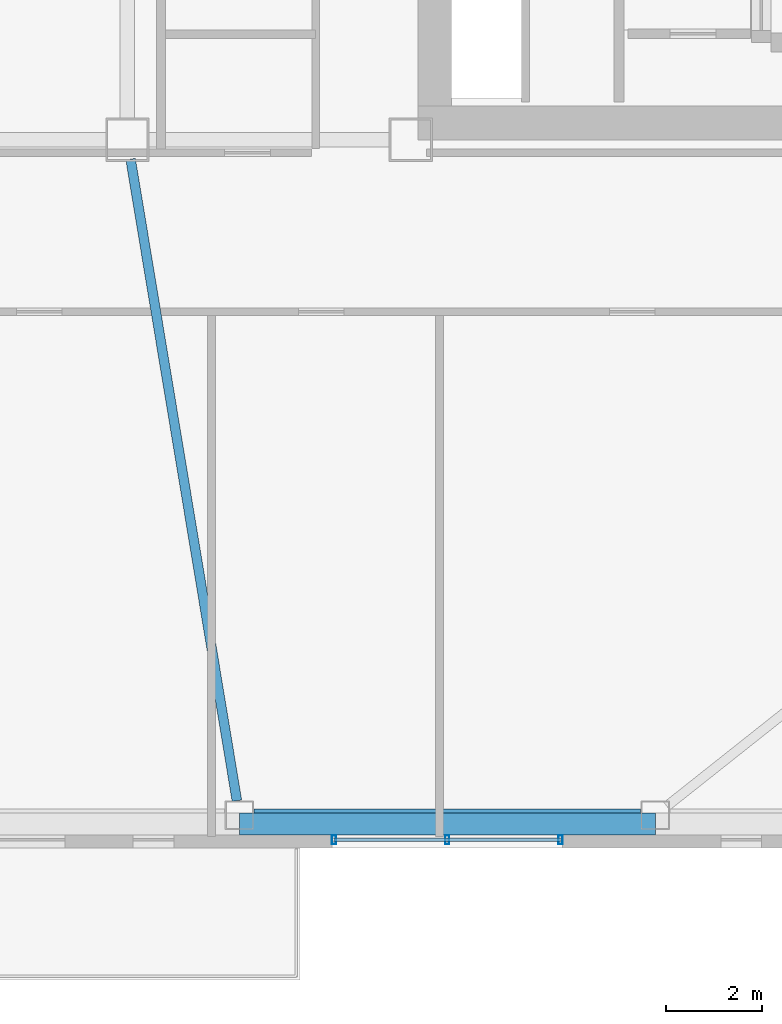
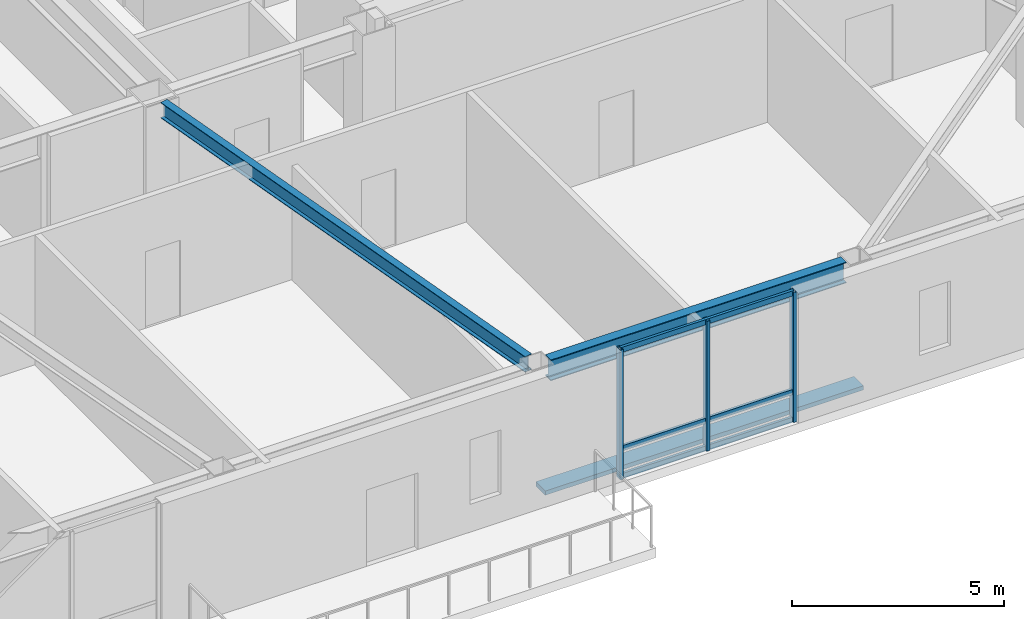
# One storey, part 4 of 19: 7 members, 2 beams, 1 element without a shape of its own.
"""IFC4 building model written with IfcOpenShell, lengths in metres."""

from ifc_helpers import new_model, si_unit, direction, frame, origin, origin_2d, place, context, subcontext, project, spatial, rectangle, hollow_rectangle, i_section, extrude, material, layer, layer_set, material_profile, profile_set, type_object, element, aggregate, save


model = new_model("IFC4")

# Units and contexts
model_context = context("Model", 3, precision=1e-05, world=origin(), true_north=direction((0.0, 1.0)))
body_context = subcontext(model_context, "Body", "Model", "MODEL_VIEW")
ifc_project = project(units=[si_unit("LENGTHUNIT", "METRE"), si_unit("AREAUNIT", "SQUARE_METRE"), si_unit("VOLUMEUNIT", "CUBIC_METRE"), si_unit("PLANEANGLEUNIT", "RADIAN"), si_unit("MASSUNIT", "GRAM", prefix="KILO")], contexts=[model_context])

# Site, building, storey
site_placement = place(None, origin())
site = spatial("IfcSite", under=ifc_project, at=site_placement, CompositionType="ELEMENT")
building_placement = place(site_placement, origin())
building = spatial("IfcBuilding", under=site, at=building_placement, Name="Tavrogorsk Clinical Tower", CompositionType="ELEMENT")
storey_placement = place(building_placement, frame((0.0, 0.0, 188.199951171875)))
storey = spatial("IfcBuildingStorey", under=building, at=storey_placement, Name="L43", CompositionType="ELEMENT", Elevation=188.199951171875)

# Member
ifc_material_1 = material(Name="Anodised aluminium alloy AW-6063", Category="aluminium")
ifc_material_profile_1 = material_profile(ifc_material_1, rectangle(XDim=0.449951171875, YDim=0.1201171875, at=origin_2d()), Name="ALU-SUNSHADE-450x120")
ifc_profile_set_1 = profile_set([ifc_material_profile_1], Name="Anodised aluminium alloy AW-6063")
member_type_1 = type_object("IfcMemberType", Name="ChicagoSunshade_450x120", PredefinedType="USERDEFINED", material=ifc_profile_set_1)
member_1_placement = place(storey_placement, frame((6.7314453125, -20.60009765625, 0.179931640625), z_axis=(1.0, 0.0, 0.0), x_axis=(0.0, 1.0, 0.0)))
element("IfcMember", 1, at=member_1_placement, inside=storey, type_object=member_type_1, Name="L43 South Aluminium Sunshade S5", ObjectType="SUNSHADE", PredefinedType="USERDEFINED", context=body_context, shape_type="SweptSolid", body=[
    extrude(rectangle(XDim=0.449951171875, YDim=0.1201171875, at=origin_2d()), origin(), (0.0, 0.0, 1.0), 8.662841796875),
])

# Curtain wall, members
ifc_material_2 = material(Name="Anodised aluminium and triple IGU glazing", Category="aluminium")
ifc_layer = layer(ifc_material_2, 0.179931640625)
ifc_layer_set = layer_set([ifc_layer], Name="Anodised aluminium and triple IGU glazing")
curtain_wall_type = type_object("IfcCurtainWallType", Name="CW3_SouthSlot", PredefinedType="NOTDEFINED", material=ifc_layer_set)
curtain_wall_placement = place(storey_placement, origin())
curtain_wall = element("IfcCurtainWall", 2, at=curtain_wall_placement, inside=storey, type_object=curtain_wall_type, Name="L43 Curtain Wall CW-L43-S-SLOT-2", PredefinedType="NOTDEFINED")
ifc_material_3 = material(Name="Anodised aluminium alloy AW-6060", Category="aluminium")
ifc_material_profile_2 = material_profile(ifc_material_3, hollow_rectangle(XDim=0.090087890625, YDim=0.179931640625, WallThickness=0.00634765625, at=origin_2d()), Name="RHS-180x90x6.3")
ifc_profile_set_2 = profile_set([ifc_material_profile_2], Name="Anodised aluminium alloy AW-6060")
member_type_2 = type_object("IfcMemberType", Name="CwMullion_180x90", PredefinedType="MULLION", material=ifc_profile_set_2)
member_2_placement = place(storey_placement, frame((8.703857421875, -20.929931640625, 0.0), z_axis=(0.0, 0.0, 1.0), x_axis=(1.0, 0.0, 0.0)))
member_2 = element("IfcMember", 3, at=member_2_placement, type_object=member_type_2, Name="CW-L43-S-SLOT-2 Mullion 1", PredefinedType="MULLION", context=body_context, shape_type="SweptSolid", body=[
    extrude(hollow_rectangle(XDim=0.090087890625, YDim=0.179931640625, WallThickness=0.00634765625, at=origin_2d()), origin(), (0.0, 0.0, 1.0), 3.739990234375),
])
member_3_placement = place(storey_placement, frame((11.062744140625, -20.929931640625, 0.0), z_axis=(0.0, 0.0, 1.0), x_axis=(1.0, 0.0, 0.0)))
member_3 = element("IfcMember", 4, at=member_3_placement, type_object=member_type_2, Name="CW-L43-S-SLOT-2 Mullion 2", PredefinedType="MULLION", context=body_context, shape_type="SweptSolid", body=[
    extrude(hollow_rectangle(XDim=0.090087890625, YDim=0.179931640625, WallThickness=0.00634765625, at=origin_2d()), origin(), (0.0, 0.0, 1.0), 3.739990234375),
])
member_4_placement = place(storey_placement, frame((13.421875, -20.929931640625, 0.0), z_axis=(0.0, 0.0, 1.0), x_axis=(1.0, 0.0, 0.0)))
member_4 = element("IfcMember", 5, at=member_4_placement, type_object=member_type_2, Name="CW-L43-S-SLOT-2 Mullion 3", PredefinedType="MULLION", context=body_context, shape_type="SweptSolid", body=[
    extrude(hollow_rectangle(XDim=0.090087890625, YDim=0.179931640625, WallThickness=0.00634765625, at=origin_2d()), origin(), (0.0, 0.0, 1.0), 3.739990234375),
])
ifc_material_4 = material(Name="Anodised aluminium alloy AW-6060", Category="aluminium")
ifc_material_profile_3 = material_profile(ifc_material_4, hollow_rectangle(XDim=0.074951171875, YDim=0.14990234375, WallThickness=0.0048828125, at=origin_2d()), Name="RHS-150x75x5")
ifc_profile_set_3 = profile_set([ifc_material_profile_3], Name="Anodised aluminium alloy AW-6060")
member_type_3 = type_object("IfcMemberType", Name="CwTransom_150x75", PredefinedType="USERDEFINED", material=ifc_profile_set_3)
member_5_placement = place(storey_placement, frame((8.703857421875, -20.929931640625, 0.050048828125), z_axis=(1.0, 0.0, 0.0), x_axis=(0.0, 1.0, 0.0)))
member_5 = element("IfcMember", 6, at=member_5_placement, type_object=member_type_3, Name="CW-L43-S-SLOT-2 Transom 1", ObjectType="TRANSOM", PredefinedType="USERDEFINED", context=body_context, shape_type="SweptSolid", body=[
    extrude(hollow_rectangle(XDim=0.074951171875, YDim=0.14990234375, WallThickness=0.0048828125, at=origin_2d()), origin(), (0.0, 0.0, 1.0), 4.718017578125),
])
member_6_placement = place(storey_placement, frame((8.703857421875, -20.929931640625, 0.85009765625), z_axis=(1.0, 0.0, 0.0), x_axis=(0.0, 1.0, 0.0)))
member_6 = element("IfcMember", 7, at=member_6_placement, type_object=member_type_3, Name="CW-L43-S-SLOT-2 Transom 2", ObjectType="TRANSOM", PredefinedType="USERDEFINED", context=body_context, shape_type="SweptSolid", body=[
    extrude(hollow_rectangle(XDim=0.074951171875, YDim=0.14990234375, WallThickness=0.0048828125, at=origin_2d()), origin(), (0.0, 0.0, 1.0), 4.718017578125),
])
member_7_placement = place(storey_placement, frame((8.703857421875, -20.929931640625, 3.68994140625), z_axis=(1.0, 0.0, 0.0), x_axis=(0.0, 1.0, 0.0)))
member_7 = element("IfcMember", 8, at=member_7_placement, type_object=member_type_3, Name="CW-L43-S-SLOT-2 Transom 3", ObjectType="TRANSOM", PredefinedType="USERDEFINED", context=body_context, shape_type="SweptSolid", body=[
    extrude(hollow_rectangle(XDim=0.074951171875, YDim=0.14990234375, WallThickness=0.0048828125, at=origin_2d()), origin(), (0.0, 0.0, 1.0), 4.718017578125),
])
aggregate(curtain_wall, [member_2, member_3, member_4, member_5, member_6, member_7])

# Beams
ifc_material_5 = material(Name="Structural steel S355", Category="steel")
ifc_material_profile_4 = material_profile(ifc_material_5, i_section(OverallWidth=0.199951171875, OverallDepth=0.449951171875, WebThickness=0.011474609375, FlangeThickness=0.01806640625, at=origin_2d()), Name="B-450x200x11.5x18")
ifc_profile_set_4 = profile_set([ifc_material_profile_4], Name="Structural steel S355")
beam_type_1 = type_object("IfcBeamType", Name="FloorBeam_B450", PredefinedType="BEAM", material=ifc_profile_set_4)
beam_1_placement = place(storey_placement, frame((4.467041015625, -6.75439453125, 3.51513671875), z_axis=(0.16347521907, -0.986547440699, 0.0), x_axis=(0.986547440699, 0.16347521907, 0.0)))
element("IfcBeam", 9, at=beam_1_placement, inside=storey, type_object=beam_type_1, Name="L43 Radial Floor Beam S5", PredefinedType="BEAM", context=body_context, shape_type="SweptSolid", body=[
    extrude(i_section(OverallWidth=0.199951171875, OverallDepth=0.449951171875, WebThickness=0.011474609375, FlangeThickness=0.01806640625, at=origin_2d()), origin(), (0.0, 0.0, 1.0), 13.5439453125),
])
ifc_material_6 = material(Name="Structural steel S390", Category="steel")
ifc_material_profile_5 = material_profile(ifc_material_6, i_section(OverallWidth=0.260009765625, OverallDepth=0.60009765625, WebThickness=0.014892578125, FlangeThickness=0.02392578125, at=origin_2d()), Name="B-600x260x15x24")
ifc_profile_set_5 = profile_set([ifc_material_profile_5], Name="Structural steel S390")
beam_type_2 = type_object("IfcBeamType", Name="SpandrelBeam_B600", PredefinedType="SPANDREL", material=ifc_profile_set_5)
beam_2_placement = place(storey_placement, frame((7.039306640625, -20.419921875, 3.43994140625), z_axis=(1.0, 0.0, 0.0), x_axis=(0.0, 1.0, 0.0)))
element("IfcBeam", 10, at=beam_2_placement, inside=storey, type_object=beam_type_2, Name="L43 Perimeter Spandrel S5-S6", PredefinedType="SPANDREL", context=body_context, shape_type="SweptSolid", body=[
    extrude(i_section(OverallWidth=0.260009765625, OverallDepth=0.60009765625, WebThickness=0.014892578125, FlangeThickness=0.02392578125, at=origin_2d()), origin(), (0.0, 0.0, 1.0), 8.046875),
])

save(model, "model.ifc")
